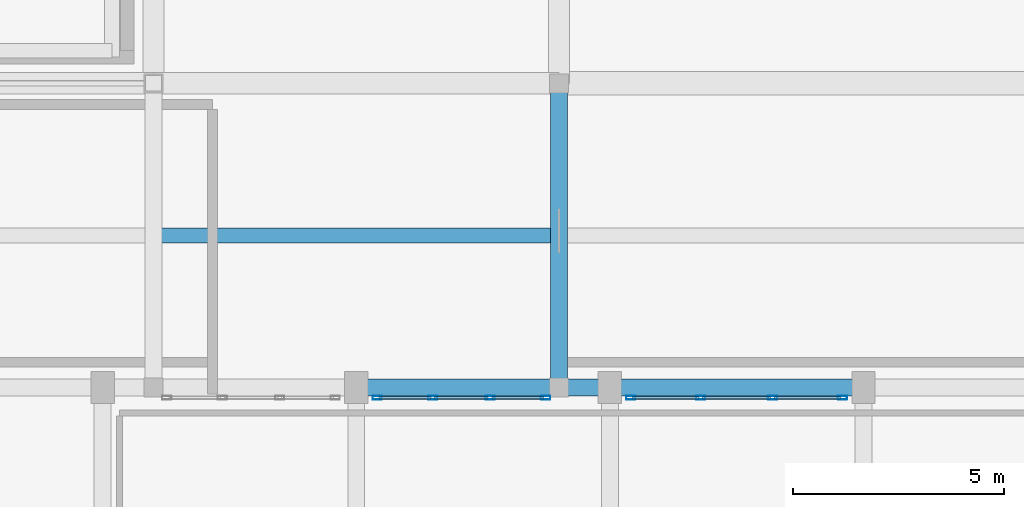
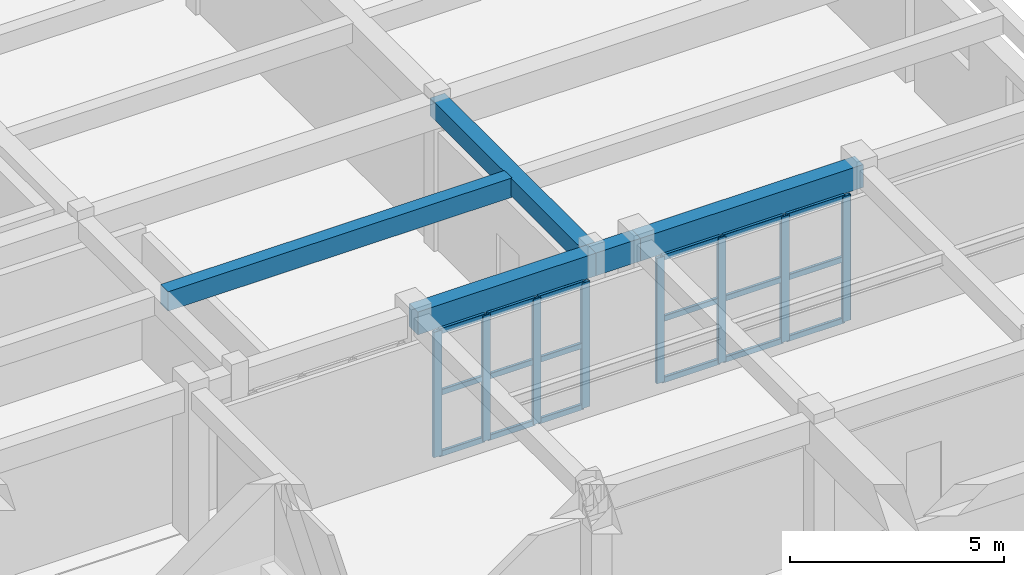
# One storey, part 50 of 92: 26 members, 5 beams, 2 elements without a shape of their own.
"""IFC4 building model written with IfcOpenShell, lengths in metres."""

from ifc_helpers import new_model, si_unit, direction, frame, origin, origin_2d, place, context, subcontext, project, spatial, rectangle, hollow_rectangle, extrude, material, layer, layer_set, material_profile, profile_set, type_object, element, aggregate, save


model = new_model("IFC4")

# Units and contexts
model_context = context("Model", 3, precision=1e-05, world=origin(), true_north=direction((0.0, 1.0)))
body_context = subcontext(model_context, "Body", "Model", "MODEL_VIEW")
ifc_project = project(units=[si_unit("LENGTHUNIT", "METRE"), si_unit("AREAUNIT", "SQUARE_METRE"), si_unit("VOLUMEUNIT", "CUBIC_METRE"), si_unit("PLANEANGLEUNIT", "RADIAN"), si_unit("MASSUNIT", "GRAM", prefix="KILO")], contexts=[model_context])

# Site, building, storey
site_placement = place(None, origin())
site = spatial("IfcSite", under=ifc_project, at=site_placement, CompositionType="ELEMENT")
building_placement = place(site_placement, origin())
building = spatial("IfcBuilding", under=site, at=building_placement, Name="Tarnavel Promenade Courthouse", CompositionType="ELEMENT")
storey_placement = place(building_placement, frame((0.0, 0.0, 5.39990234375)))
storey = spatial("IfcBuildingStorey", under=building, at=storey_placement, Name="L02", CompositionType="ELEMENT", Elevation=5.39990234375)

# Beams
ifc_material_1 = material(Name="Concrete C40/50", Category="concrete")
ifc_material_profile_1 = material_profile(ifc_material_1, rectangle(XDim=0.35009765625, YDim=0.550048828125, at=origin_2d()), Name="PT 350x550")
ifc_profile_set_1 = profile_set([ifc_material_profile_1], Name="Concrete C40/50")
beam_type_1 = type_object("IfcBeamType", Name="Concrete C40/50 BM-PT-350x550 (PT 350x550)", PredefinedType="JOIST", material=ifc_profile_set_1)
beam_1_placement = place(storey_placement, frame((139.3701171875, 70.800048828125, 3.960205078125), z_axis=(1.0, 0.0, 0.0), x_axis=(0.0, 1.0, 0.0)))
element("IfcBeam", 1, at=beam_1_placement, inside=storey, type_object=beam_type_1, Name="L02 Secondary Floor Rib 1405", PredefinedType="JOIST", context=body_context, shape_type="SweptSolid", body=[
    extrude(rectangle(XDim=0.35009765625, YDim=0.550048828125, at=origin_2d()), origin(), (0.0, 0.0, 1.0), 9.259765625),
])
ifc_material_profile_2 = material_profile(ifc_material_1, rectangle(XDim=0.39990234375, YDim=0.5, at=origin_2d()), Name="RC 400x500")
ifc_profile_set_2 = profile_set([ifc_material_profile_2], Name="Concrete C40/50")
beam_type_2 = type_object("IfcBeamType", Name="Concrete C40/50 BM-RC-400x500 (RC 400x500)", PredefinedType="BEAM", material=ifc_profile_set_2)
beam_2_placement = place(storey_placement, frame((148.800048828125, 67.199951171875, 3.985107421875), z_axis=(0.0, 1.0, 0.0), x_axis=(-1.0, 0.0, 0.0)))
element("IfcBeam", 2, at=beam_2_placement, inside=storey, type_object=beam_type_2, Name="L02 Transverse Girder 1345", PredefinedType="BEAM", context=body_context, shape_type="SweptSolid", body=[
    extrude(rectangle(XDim=0.39990234375, YDim=0.5, at=origin_2d()), origin(), (0.0, 0.0, 1.0), 7.199951171875),
])
ifc_material_profile_3 = material_profile(ifc_material_1, rectangle(XDim=0.39990234375, YDim=0.64990234375, at=origin_2d()), Name="RC 400x650")
ifc_profile_set_3 = profile_set([ifc_material_profile_3], Name="Concrete C40/50")
beam_type_3 = type_object("IfcBeamType", Name="Concrete C40/50 BM-RC-400x650 (RC 400x650)", PredefinedType="BEAM", material=ifc_profile_set_3)
beam_3_placement = place(storey_placement, frame((144.0, 67.199951171875, 3.91015625), z_axis=(1.0, 0.0, 0.0), x_axis=(0.0, 1.0, 0.0)))
element("IfcBeam", 3, at=beam_3_placement, inside=storey, type_object=beam_type_3, Name="L02 Primary Longitudinal Beam 1146", PredefinedType="BEAM", context=body_context, shape_type="SweptSolid", body=[
    extrude(rectangle(XDim=0.39990234375, YDim=0.64990234375, at=origin_2d()), origin(), (0.0, 0.0, 1.0), 4.800048828125),
])
beam_4_placement = place(storey_placement, frame((148.800048828125, 67.199951171875, 3.91015625), z_axis=(1.0, 0.0, 0.0), x_axis=(0.0, 1.0, 0.0)))
element("IfcBeam", 4, at=beam_4_placement, inside=storey, type_object=beam_type_3, Name="L02 Primary Longitudinal Beam 1147", PredefinedType="BEAM", context=body_context, shape_type="SweptSolid", body=[
    extrude(rectangle(XDim=0.39990234375, YDim=0.64990234375, at=origin_2d()), origin(), (0.0, 0.0, 1.0), 1.199951171875),
])
beam_5_placement = place(storey_placement, frame((150.0, 67.199951171875, 3.91015625), z_axis=(1.0, 0.0, 0.0), x_axis=(0.0, 1.0, 0.0)))
element("IfcBeam", 5, at=beam_5_placement, inside=storey, type_object=beam_type_3, Name="L02 Primary Longitudinal Beam 1148", PredefinedType="BEAM", context=body_context, shape_type="SweptSolid", body=[
    extrude(rectangle(XDim=0.39990234375, YDim=0.64990234375, at=origin_2d()), origin(), (0.0, 0.0, 1.0), 6.0),
])

# Curtain wall, members
ifc_material_2 = material(Name="Thermally Broken Anodised Aluminium Curtain Wall System", Category="aluminium")
ifc_layer = layer(ifc_material_2, 0.199951171875)
ifc_layer_set = layer_set([ifc_layer], Name="Thermally Broken Anodised Aluminium Curtain Wall System")
curtain_wall_type = type_object("IfcCurtainWallType", Name="Thermally Broken Aluminium Triple-Glazed Curtain Wall CW-FOYER", PredefinedType="NOTDEFINED", material=ifc_layer_set)
curtain_wall_1_placement = place(storey_placement, origin())
curtain_wall_1 = element("IfcCurtainWall", 6, at=curtain_wall_1_placement, inside=storey, type_object=curtain_wall_type, Name="L02 Ceremonial North Cloister Curtain Wall 175", PredefinedType="NOTDEFINED")
ifc_material_3 = material(Name="Thermally Broken Anodised Aluminium Frame", Category="aluminium")
ifc_material_profile_4 = material_profile(ifc_material_3, hollow_rectangle(XDim=0.090087890625, YDim=0.219970703125, WallThickness=0.0048828125, InnerFilletRadius=0.0048828125, OuterFilletRadius=0.010009765625, at=origin_2d()), Name="CWM 220x90x5")
ifc_profile_set_4 = profile_set([ifc_material_profile_4], Name="Thermally Broken Anodised Aluminium Frame")
member_type_1 = type_object("IfcMemberType", Name="Thermally Broken Anodised Aluminium CWM-175 (CWM 220x90x5)", PredefinedType="MULLION", material=ifc_profile_set_4)
member_1_placement = place(storey_placement, frame((148.47998046875, 66.9599609375, 0.0), z_axis=(0.0, 0.0, 1.0), x_axis=(0.0, -1.0, 0.0)))
member_1 = element("IfcMember", 7, at=member_1_placement, type_object=member_type_1, Name="CW-04 mullion 1", PredefinedType="MULLION", context=body_context, shape_type="SweptSolid", body=[
    extrude(hollow_rectangle(XDim=0.090087890625, YDim=0.219970703125, WallThickness=0.0048828125, InnerFilletRadius=0.0048828125, OuterFilletRadius=0.010009765625, at=origin_2d()), origin(), (0.0, 0.0, 1.0), 3.570068359375),
])
member_2_placement = place(storey_placement, frame((147.166748046875, 66.9599609375, 0.0), z_axis=(0.0, 0.0, 1.0), x_axis=(0.0, -1.0, 0.0)))
member_2 = element("IfcMember", 8, at=member_2_placement, type_object=member_type_1, Name="CW-04 mullion 2", PredefinedType="MULLION", context=body_context, shape_type="SweptSolid", body=[
    extrude(hollow_rectangle(XDim=0.090087890625, YDim=0.219970703125, WallThickness=0.0048828125, InnerFilletRadius=0.0048828125, OuterFilletRadius=0.010009765625, at=origin_2d()), origin(), (0.0, 0.0, 1.0), 3.570068359375),
])
member_3_placement = place(storey_placement, frame((145.808349609375, 66.9599609375, 0.0), z_axis=(0.0, 0.0, 1.0), x_axis=(0.0, -1.0, 0.0)))
member_3 = element("IfcMember", 9, at=member_3_placement, type_object=member_type_1, Name="CW-04 mullion 3", PredefinedType="MULLION", context=body_context, shape_type="SweptSolid", body=[
    extrude(hollow_rectangle(XDim=0.090087890625, YDim=0.219970703125, WallThickness=0.0048828125, InnerFilletRadius=0.0048828125, OuterFilletRadius=0.010009765625, at=origin_2d()), origin(), (0.0, 0.0, 1.0), 3.570068359375),
])
member_4_placement = place(storey_placement, frame((144.4951171875, 66.9599609375, 0.0), z_axis=(0.0, 0.0, 1.0), x_axis=(0.0, -1.0, 0.0)))
member_4 = element("IfcMember", 10, at=member_4_placement, type_object=member_type_1, Name="CW-04 mullion 4", PredefinedType="MULLION", context=body_context, shape_type="SweptSolid", body=[
    extrude(hollow_rectangle(XDim=0.090087890625, YDim=0.219970703125, WallThickness=0.0048828125, InnerFilletRadius=0.0048828125, OuterFilletRadius=0.010009765625, at=origin_2d()), origin(), (0.0, 0.0, 1.0), 3.570068359375),
])

curtain_wall_2_placement = place(storey_placement, origin())
curtain_wall_2 = element("IfcCurtainWall", 11, at=curtain_wall_2_placement, inside=storey, type_object=curtain_wall_type, Name="L02 Ceremonial North Cloister Curtain Wall 176", PredefinedType="NOTDEFINED")
member_5_placement = place(storey_placement, frame((155.5048828125, 66.9599609375, 0.0), z_axis=(0.0, 0.0, 1.0), x_axis=(0.0, -1.0, 0.0)))
member_5 = element("IfcMember", 12, at=member_5_placement, type_object=member_type_1, Name="CW-04 mullion 1", PredefinedType="MULLION", context=body_context, shape_type="SweptSolid", body=[
    extrude(hollow_rectangle(XDim=0.090087890625, YDim=0.219970703125, WallThickness=0.0048828125, InnerFilletRadius=0.0048828125, OuterFilletRadius=0.010009765625, at=origin_2d()), origin(), (0.0, 0.0, 1.0), 3.570068359375),
])
member_6_placement = place(storey_placement, frame((153.85009765625, 66.9599609375, 0.0), z_axis=(0.0, 0.0, 1.0), x_axis=(0.0, -1.0, 0.0)))
member_6 = element("IfcMember", 13, at=member_6_placement, type_object=member_type_1, Name="CW-04 mullion 2", PredefinedType="MULLION", context=body_context, shape_type="SweptSolid", body=[
    extrude(hollow_rectangle(XDim=0.090087890625, YDim=0.219970703125, WallThickness=0.0048828125, InnerFilletRadius=0.0048828125, OuterFilletRadius=0.010009765625, at=origin_2d()), origin(), (0.0, 0.0, 1.0), 3.570068359375),
])
member_7_placement = place(storey_placement, frame((152.14990234375, 66.9599609375, 0.0), z_axis=(0.0, 0.0, 1.0), x_axis=(0.0, -1.0, 0.0)))
member_7 = element("IfcMember", 14, at=member_7_placement, type_object=member_type_1, Name="CW-04 mullion 3", PredefinedType="MULLION", context=body_context, shape_type="SweptSolid", body=[
    extrude(hollow_rectangle(XDim=0.090087890625, YDim=0.219970703125, WallThickness=0.0048828125, InnerFilletRadius=0.0048828125, OuterFilletRadius=0.010009765625, at=origin_2d()), origin(), (0.0, 0.0, 1.0), 3.570068359375),
])
member_8_placement = place(storey_placement, frame((150.4951171875, 66.9599609375, 0.0), z_axis=(0.0, 0.0, 1.0), x_axis=(0.0, -1.0, 0.0)))
member_8 = element("IfcMember", 15, at=member_8_placement, type_object=member_type_1, Name="CW-04 mullion 4", PredefinedType="MULLION", context=body_context, shape_type="SweptSolid", body=[
    extrude(hollow_rectangle(XDim=0.090087890625, YDim=0.219970703125, WallThickness=0.0048828125, InnerFilletRadius=0.0048828125, OuterFilletRadius=0.010009765625, at=origin_2d()), origin(), (0.0, 0.0, 1.0), 3.570068359375),
])

# Member
ifc_material_profile_5 = material_profile(ifc_material_3, hollow_rectangle(XDim=0.080078125, YDim=0.159912109375, WallThickness=0.0048828125, InnerFilletRadius=0.0048828125, OuterFilletRadius=0.010009765625, at=origin_2d()), Name="CWT 160x80x5")
ifc_profile_set_5 = profile_set([ifc_material_profile_5], Name="Thermally Broken Anodised Aluminium Frame")
member_type_2 = type_object("IfcMemberType", Name="Thermally Broken Anodised Aluminium CWT-145 (CWT 160x80x5)", PredefinedType="USERDEFINED", material=ifc_profile_set_5)
member_9_placement = place(storey_placement, frame((148.43505859375, 66.9599609375, 0.0400390625), z_axis=(-1.0, 0.0, 0.0), x_axis=(0.0, -1.0, 0.0)))
member_9 = element("IfcMember", 16, at=member_9_placement, type_object=member_type_2, Name="CW-04 transom 1.1", ObjectType="TRANSOM", PredefinedType="USERDEFINED", context=body_context, shape_type="SweptSolid", body=[
    extrude(hollow_rectangle(XDim=0.080078125, YDim=0.159912109375, WallThickness=0.0048828125, InnerFilletRadius=0.0048828125, OuterFilletRadius=0.010009765625, at=origin_2d()), origin(), (0.0, 0.0, 1.0), 1.223388671875),
])

member_10_placement = place(storey_placement, frame((148.43505859375, 66.9599609375, 1.78515625), z_axis=(-1.0, 0.0, 0.0), x_axis=(0.0, -1.0, 0.0)))
member_10 = element("IfcMember", 17, at=member_10_placement, type_object=member_type_2, Name="CW-04 transom 1.2", ObjectType="TRANSOM", PredefinedType="USERDEFINED", context=body_context, shape_type="SweptSolid", body=[
    extrude(hollow_rectangle(XDim=0.080078125, YDim=0.159912109375, WallThickness=0.0048828125, InnerFilletRadius=0.0048828125, OuterFilletRadius=0.010009765625, at=origin_2d()), origin(), (0.0, 0.0, 1.0), 1.223388671875),
])

member_11_placement = place(storey_placement, frame((148.43505859375, 66.9599609375, 3.530029296875), z_axis=(-1.0, 0.0, 0.0), x_axis=(0.0, -1.0, 0.0)))
member_11 = element("IfcMember", 18, at=member_11_placement, type_object=member_type_2, Name="CW-04 transom 1.3", ObjectType="TRANSOM", PredefinedType="USERDEFINED", context=body_context, shape_type="SweptSolid", body=[
    extrude(hollow_rectangle(XDim=0.080078125, YDim=0.159912109375, WallThickness=0.0048828125, InnerFilletRadius=0.0048828125, OuterFilletRadius=0.010009765625, at=origin_2d()), origin(), (0.0, 0.0, 1.0), 1.223388671875),
])

member_12_placement = place(storey_placement, frame((147.12158203125, 66.9599609375, 0.0400390625), z_axis=(-1.0, 0.0, 0.0), x_axis=(0.0, -1.0, 0.0)))
member_12 = element("IfcMember", 19, at=member_12_placement, type_object=member_type_2, Name="CW-04 transom 2.1", ObjectType="TRANSOM", PredefinedType="USERDEFINED", context=body_context, shape_type="SweptSolid", body=[
    extrude(hollow_rectangle(XDim=0.080078125, YDim=0.159912109375, WallThickness=0.0048828125, InnerFilletRadius=0.0048828125, OuterFilletRadius=0.010009765625, at=origin_2d()), origin(), (0.0, 0.0, 1.0), 1.268310546875),
])

member_13_placement = place(storey_placement, frame((147.12158203125, 66.9599609375, 1.78515625), z_axis=(-1.0, 0.0, 0.0), x_axis=(0.0, -1.0, 0.0)))
member_13 = element("IfcMember", 20, at=member_13_placement, type_object=member_type_2, Name="CW-04 transom 2.2", ObjectType="TRANSOM", PredefinedType="USERDEFINED", context=body_context, shape_type="SweptSolid", body=[
    extrude(hollow_rectangle(XDim=0.080078125, YDim=0.159912109375, WallThickness=0.0048828125, InnerFilletRadius=0.0048828125, OuterFilletRadius=0.010009765625, at=origin_2d()), origin(), (0.0, 0.0, 1.0), 1.268310546875),
])

member_14_placement = place(storey_placement, frame((147.12158203125, 66.9599609375, 3.530029296875), z_axis=(-1.0, 0.0, 0.0), x_axis=(0.0, -1.0, 0.0)))
member_14 = element("IfcMember", 21, at=member_14_placement, type_object=member_type_2, Name="CW-04 transom 2.3", ObjectType="TRANSOM", PredefinedType="USERDEFINED", context=body_context, shape_type="SweptSolid", body=[
    extrude(hollow_rectangle(XDim=0.080078125, YDim=0.159912109375, WallThickness=0.0048828125, InnerFilletRadius=0.0048828125, OuterFilletRadius=0.010009765625, at=origin_2d()), origin(), (0.0, 0.0, 1.0), 1.268310546875),
])

member_15_placement = place(storey_placement, frame((145.763427734375, 66.9599609375, 0.0400390625), z_axis=(-1.0, 0.0, 0.0), x_axis=(0.0, -1.0, 0.0)))
member_15 = element("IfcMember", 22, at=member_15_placement, type_object=member_type_2, Name="CW-04 transom 3.1", ObjectType="TRANSOM", PredefinedType="USERDEFINED", context=body_context, shape_type="SweptSolid", body=[
    extrude(hollow_rectangle(XDim=0.080078125, YDim=0.159912109375, WallThickness=0.0048828125, InnerFilletRadius=0.0048828125, OuterFilletRadius=0.010009765625, at=origin_2d()), origin(), (0.0, 0.0, 1.0), 1.223388671875),
])

member_16_placement = place(storey_placement, frame((145.763427734375, 66.9599609375, 1.78515625), z_axis=(-1.0, 0.0, 0.0), x_axis=(0.0, -1.0, 0.0)))
member_16 = element("IfcMember", 23, at=member_16_placement, type_object=member_type_2, Name="CW-04 transom 3.2", ObjectType="TRANSOM", PredefinedType="USERDEFINED", context=body_context, shape_type="SweptSolid", body=[
    extrude(hollow_rectangle(XDim=0.080078125, YDim=0.159912109375, WallThickness=0.0048828125, InnerFilletRadius=0.0048828125, OuterFilletRadius=0.010009765625, at=origin_2d()), origin(), (0.0, 0.0, 1.0), 1.223388671875),
])

member_17_placement = place(storey_placement, frame((145.763427734375, 66.9599609375, 3.530029296875), z_axis=(-1.0, 0.0, 0.0), x_axis=(0.0, -1.0, 0.0)))
member_17 = element("IfcMember", 24, at=member_17_placement, type_object=member_type_2, Name="CW-04 transom 3.3", ObjectType="TRANSOM", PredefinedType="USERDEFINED", context=body_context, shape_type="SweptSolid", body=[
    extrude(hollow_rectangle(XDim=0.080078125, YDim=0.159912109375, WallThickness=0.0048828125, InnerFilletRadius=0.0048828125, OuterFilletRadius=0.010009765625, at=origin_2d()), origin(), (0.0, 0.0, 1.0), 1.223388671875),
])

aggregate(curtain_wall_1, [member_1, member_2, member_3, member_4, member_9, member_10, member_11, member_12, member_13, member_14, member_15, member_16, member_17])

member_18_placement = place(storey_placement, frame((155.4599609375, 66.9599609375, 0.0400390625), z_axis=(-1.0, 0.0, 0.0), x_axis=(0.0, -1.0, 0.0)))
member_18 = element("IfcMember", 25, at=member_18_placement, type_object=member_type_2, Name="CW-04 transom 1.1", ObjectType="TRANSOM", PredefinedType="USERDEFINED", context=body_context, shape_type="SweptSolid", body=[
    extrude(hollow_rectangle(XDim=0.080078125, YDim=0.159912109375, WallThickness=0.0048828125, InnerFilletRadius=0.0048828125, OuterFilletRadius=0.010009765625, at=origin_2d()), origin(), (0.0, 0.0, 1.0), 1.56494140625),
])

member_19_placement = place(storey_placement, frame((155.4599609375, 66.9599609375, 1.78515625), z_axis=(-1.0, 0.0, 0.0), x_axis=(0.0, -1.0, 0.0)))
member_19 = element("IfcMember", 26, at=member_19_placement, type_object=member_type_2, Name="CW-04 transom 1.2", ObjectType="TRANSOM", PredefinedType="USERDEFINED", context=body_context, shape_type="SweptSolid", body=[
    extrude(hollow_rectangle(XDim=0.080078125, YDim=0.159912109375, WallThickness=0.0048828125, InnerFilletRadius=0.0048828125, OuterFilletRadius=0.010009765625, at=origin_2d()), origin(), (0.0, 0.0, 1.0), 1.56494140625),
])

member_20_placement = place(storey_placement, frame((155.4599609375, 66.9599609375, 3.530029296875), z_axis=(-1.0, 0.0, 0.0), x_axis=(0.0, -1.0, 0.0)))
member_20 = element("IfcMember", 27, at=member_20_placement, type_object=member_type_2, Name="CW-04 transom 1.3", ObjectType="TRANSOM", PredefinedType="USERDEFINED", context=body_context, shape_type="SweptSolid", body=[
    extrude(hollow_rectangle(XDim=0.080078125, YDim=0.159912109375, WallThickness=0.0048828125, InnerFilletRadius=0.0048828125, OuterFilletRadius=0.010009765625, at=origin_2d()), origin(), (0.0, 0.0, 1.0), 1.56494140625),
])

member_21_placement = place(storey_placement, frame((153.804931640625, 66.9599609375, 0.0400390625), z_axis=(-1.0, 0.0, 0.0), x_axis=(0.0, -1.0, 0.0)))
member_21 = element("IfcMember", 28, at=member_21_placement, type_object=member_type_2, Name="CW-04 transom 2.1", ObjectType="TRANSOM", PredefinedType="USERDEFINED", context=body_context, shape_type="SweptSolid", body=[
    extrude(hollow_rectangle(XDim=0.080078125, YDim=0.159912109375, WallThickness=0.0048828125, InnerFilletRadius=0.0048828125, OuterFilletRadius=0.010009765625, at=origin_2d()), origin(), (0.0, 0.0, 1.0), 1.60986328125),
])

member_22_placement = place(storey_placement, frame((153.804931640625, 66.9599609375, 1.78515625), z_axis=(-1.0, 0.0, 0.0), x_axis=(0.0, -1.0, 0.0)))
member_22 = element("IfcMember", 29, at=member_22_placement, type_object=member_type_2, Name="CW-04 transom 2.2", ObjectType="TRANSOM", PredefinedType="USERDEFINED", context=body_context, shape_type="SweptSolid", body=[
    extrude(hollow_rectangle(XDim=0.080078125, YDim=0.159912109375, WallThickness=0.0048828125, InnerFilletRadius=0.0048828125, OuterFilletRadius=0.010009765625, at=origin_2d()), origin(), (0.0, 0.0, 1.0), 1.60986328125),
])

member_23_placement = place(storey_placement, frame((153.804931640625, 66.9599609375, 3.530029296875), z_axis=(-1.0, 0.0, 0.0), x_axis=(0.0, -1.0, 0.0)))
member_23 = element("IfcMember", 30, at=member_23_placement, type_object=member_type_2, Name="CW-04 transom 2.3", ObjectType="TRANSOM", PredefinedType="USERDEFINED", context=body_context, shape_type="SweptSolid", body=[
    extrude(hollow_rectangle(XDim=0.080078125, YDim=0.159912109375, WallThickness=0.0048828125, InnerFilletRadius=0.0048828125, OuterFilletRadius=0.010009765625, at=origin_2d()), origin(), (0.0, 0.0, 1.0), 1.60986328125),
])

member_24_placement = place(storey_placement, frame((152.10498046875, 66.9599609375, 0.0400390625), z_axis=(-1.0, 0.0, 0.0), x_axis=(0.0, -1.0, 0.0)))
member_24 = element("IfcMember", 31, at=member_24_placement, type_object=member_type_2, Name="CW-04 transom 3.1", ObjectType="TRANSOM", PredefinedType="USERDEFINED", context=body_context, shape_type="SweptSolid", body=[
    extrude(hollow_rectangle(XDim=0.080078125, YDim=0.159912109375, WallThickness=0.0048828125, InnerFilletRadius=0.0048828125, OuterFilletRadius=0.010009765625, at=origin_2d()), origin(), (0.0, 0.0, 1.0), 1.56494140625),
])

member_25_placement = place(storey_placement, frame((152.10498046875, 66.9599609375, 1.78515625), z_axis=(-1.0, 0.0, 0.0), x_axis=(0.0, -1.0, 0.0)))
member_25 = element("IfcMember", 32, at=member_25_placement, type_object=member_type_2, Name="CW-04 transom 3.2", ObjectType="TRANSOM", PredefinedType="USERDEFINED", context=body_context, shape_type="SweptSolid", body=[
    extrude(hollow_rectangle(XDim=0.080078125, YDim=0.159912109375, WallThickness=0.0048828125, InnerFilletRadius=0.0048828125, OuterFilletRadius=0.010009765625, at=origin_2d()), origin(), (0.0, 0.0, 1.0), 1.56494140625),
])

member_26_placement = place(storey_placement, frame((152.10498046875, 66.9599609375, 3.530029296875), z_axis=(-1.0, 0.0, 0.0), x_axis=(0.0, -1.0, 0.0)))
member_26 = element("IfcMember", 33, at=member_26_placement, type_object=member_type_2, Name="CW-04 transom 3.3", ObjectType="TRANSOM", PredefinedType="USERDEFINED", context=body_context, shape_type="SweptSolid", body=[
    extrude(hollow_rectangle(XDim=0.080078125, YDim=0.159912109375, WallThickness=0.0048828125, InnerFilletRadius=0.0048828125, OuterFilletRadius=0.010009765625, at=origin_2d()), origin(), (0.0, 0.0, 1.0), 1.56494140625),
])

aggregate(curtain_wall_2, [member_5, member_6, member_7, member_8, member_18, member_19, member_20, member_21, member_22, member_23, member_24, member_25, member_26])

save(model, "model.ifc")
